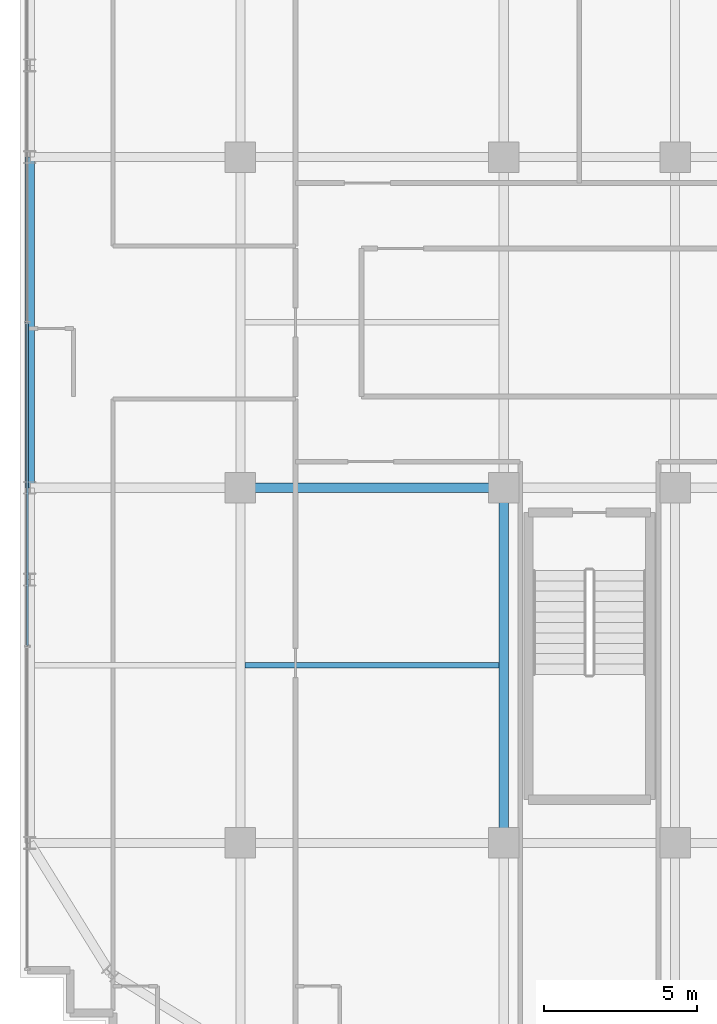
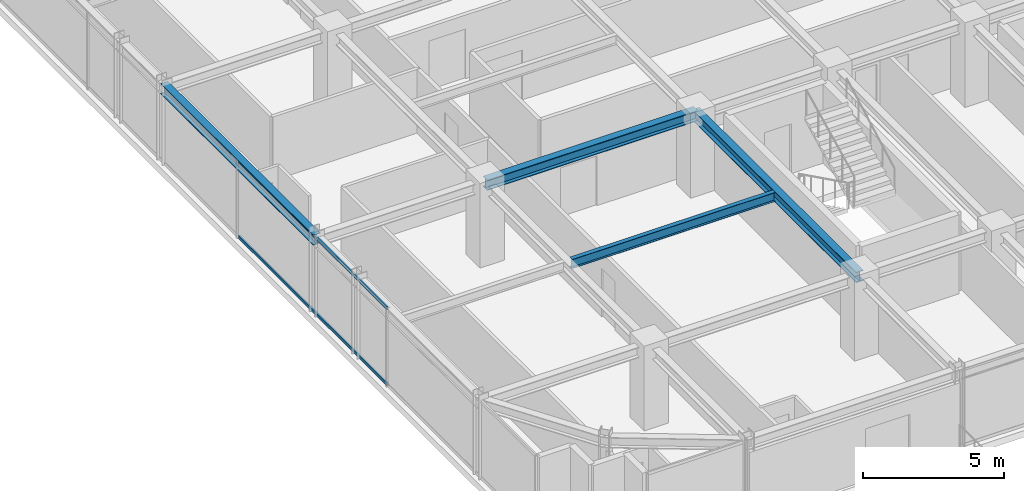
# One storey, part 9 of 34: 4 beams, 2 members, 1 element without a shape of its own.
"""IFC4 building model written with IfcOpenShell, lengths in metres."""

from ifc_helpers import new_model, si_unit, direction, frame, origin, origin_2d, place, context, subcontext, project, spatial, hollow_rectangle, i_section, extrude, source, transform, mapped, material, material_profile, profile_set, type_object, element, aggregate, save


model = new_model("IFC4")

# Units and contexts
model_context = context("Model", 3, precision=1e-05, world=origin(), true_north=direction((0.0, 1.0)))
body_context = subcontext(model_context, "Body", "Model", "MODEL_VIEW")
ifc_project = project(units=[si_unit("LENGTHUNIT", "METRE"), si_unit("AREAUNIT", "SQUARE_METRE"), si_unit("VOLUMEUNIT", "CUBIC_METRE"), si_unit("PLANEANGLEUNIT", "RADIAN"), si_unit("MASSUNIT", "GRAM", prefix="KILO")], contexts=[model_context])

# Site, building, storey
site_placement = place(None, origin())
site = spatial("IfcSite", under=ifc_project, at=site_placement, CompositionType="ELEMENT")
building_placement = place(site_placement, origin())
building = spatial("IfcBuilding", under=site, at=building_placement, Name="Nahalor Promenade Grand Hotel", CompositionType="ELEMENT")
storey_placement = place(building_placement, frame((0.0, 0.0, 238.199951171875)))
storey = spatial("IfcBuildingStorey", under=building, at=storey_placement, Name="L61", CompositionType="ELEMENT", Elevation=238.199951171875)

# Beams
ifc_material_1 = material(Name="Steel S355JR", Category="steel")
ifc_material_profile_1 = material_profile(ifc_material_1, i_section(OverallWidth=0.3, OverallDepth=0.45, WebThickness=0.014, FlangeThickness=0.026, at=origin_2d()), Name="HEB 450")
ifc_profile_set_1 = profile_set([ifc_material_profile_1], Name="Steel S355JR")
beam_type_1 = type_object("IfcBeamType", Name="Beam-Spandrel-HEB450", PredefinedType="SPANDREL", material=ifc_profile_set_1)
shared_shape_1 = source(origin(), body_context, "Body", "SweptSolid", [
    extrude(i_section(OverallWidth=0.3, OverallDepth=0.45, WebThickness=0.014, FlangeThickness=0.026, at=origin_2d()), origin(), (0.0, 0.0, 1.0), 10.7998046875),
])
beam_1_placement = place(storey_placement, frame((-23.8798828125, -5.39990234375, 3.18505859375), z_axis=(0.0, 1.0, 0.0), x_axis=(-1.0, 0.0, 0.0)))
element("IfcBeam", 1, at=beam_1_placement, inside=storey, type_object=beam_type_1, Name="BM-L61-SP-W-2", PredefinedType="SPANDREL", context=body_context, shape_type="MappedRepresentation", body=[
    mapped(shared_shape_1, transform((0.0, 0.0, 0.0), scale=1.0)),
])
ifc_material_profile_2 = material_profile(ifc_material_1, i_section(OverallWidth=0.3, OverallDepth=0.45, WebThickness=0.014, FlangeThickness=0.026, at=origin_2d()), Name="HEB 450")
ifc_profile_set_2 = profile_set([ifc_material_profile_2], Name="Steel S355JR")
beam_type_2 = type_object("IfcBeamType", Name="Beam-Girder-HEB450", PredefinedType="BEAM", material=ifc_profile_set_2)
shared_shape_2 = source(origin(), body_context, "Body", "SweptSolid", [
    extrude(i_section(OverallWidth=0.3, OverallDepth=0.45, WebThickness=0.014, FlangeThickness=0.026, at=origin_2d()), origin(), (0.0, 0.0, 1.0), 8.60009765625),
])
beam_2_placement = place(storey_placement, frame((-17.0, -5.39990234375, 3.18505859375), z_axis=(1.0, 0.0, 0.0), x_axis=(0.0, 1.0, 0.0)))
element("IfcBeam", 2, at=beam_2_placement, inside=storey, type_object=beam_type_2, Name="BM-L61-GX-1-1", PredefinedType="BEAM", context=body_context, shape_type="MappedRepresentation", body=[
    mapped(shared_shape_2, transform((0.0, 0.0, 0.0), scale=1.0)),
])
shared_shape_3 = source(origin(), body_context, "Body", "SweptSolid", [
    extrude(i_section(OverallWidth=0.3, OverallDepth=0.45, WebThickness=0.014, FlangeThickness=0.026, at=origin_2d()), origin(), (0.0, 0.0, 1.0), 11.60009765625),
])
beam_3_placement = place(storey_placement, frame((-8.39990234375, -17.0, 3.18505859375), z_axis=(0.0, 1.0, 0.0), x_axis=(-1.0, 0.0, 0.0)))
element("IfcBeam", 3, at=beam_3_placement, inside=storey, type_object=beam_type_2, Name="BM-L61-GY-1-1", PredefinedType="BEAM", context=body_context, shape_type="MappedRepresentation", body=[
    mapped(shared_shape_3, transform((0.0, 0.0, 0.0), scale=1.0)),
])
ifc_material_profile_3 = material_profile(ifc_material_1, i_section(OverallWidth=0.18, OverallDepth=0.4, WebThickness=0.0086, FlangeThickness=0.0135, at=origin_2d()), Name="IPE 400")
ifc_profile_set_3 = profile_set([ifc_material_profile_3], Name="Steel S355JR")
beam_type_3 = type_object("IfcBeamType", Name="Beam-Joist-IPE400", PredefinedType="JOIST", material=ifc_profile_set_3)
shared_shape_4 = source(origin(), body_context, "Body", "SweptSolid", [
    extrude(i_section(OverallWidth=0.18, OverallDepth=0.4, WebThickness=0.0086, FlangeThickness=0.0135, at=origin_2d()), origin(), (0.0, 0.0, 1.0), 8.300048828125),
])
beam_4_placement = place(storey_placement, frame((-16.85009765625, -11.199951171875, 3.2099609375), z_axis=(1.0, 0.0, 0.0), x_axis=(0.0, 1.0, 0.0)))
element("IfcBeam", 4, at=beam_4_placement, inside=storey, type_object=beam_type_3, Name="BM-L61-JSW-0-1", PredefinedType="JOIST", context=body_context, shape_type="MappedRepresentation", body=[
    mapped(shared_shape_4, transform((0.0, 0.0, 0.0), scale=1.0)),
])

# Curtain wall, members
ifc_material_2 = material(Name="Anodised Bronze Aluminium EN AW-6063 T6", Category="aluminium")
curtain_wall_type = type_object("IfcCurtainWallType", Name="CW2 Typical Hotel Flush Bronze Unitised Curtain Wall", PredefinedType="USERDEFINED", material=ifc_material_2)
curtain_wall_placement = place(storey_placement, origin())
curtain_wall = element("IfcCurtainWall", 5, at=curtain_wall_placement, inside=storey, type_object=curtain_wall_type, Name="L61 Curtain Wall CW-L61-W-1", ObjectType="UNITISED_CURTAIN_WALL", PredefinedType="USERDEFINED")
ifc_material_profile_4 = material_profile(ifc_material_2, hollow_rectangle(XDim=0.065, YDim=0.13, WallThickness=0.004, at=origin_2d()), Name="CWT 65x130x4")
ifc_profile_set_4 = profile_set([ifc_material_profile_4], Name="Anodised Bronze Aluminium EN AW-6063 T6")
member_type = type_object("IfcMemberType", Name="CWT2 Typical Bronze Transom 65x130", PredefinedType="USERDEFINED", material=ifc_profile_set_4)
shared_shape_5 = source(origin(), body_context, "Body", "SweptSolid", [
    extrude(hollow_rectangle(XDim=0.065, YDim=0.13, WallThickness=0.004, at=origin_2d()), origin(), (0.0, 0.0, 1.0), 10.51513671875),
])
member_1_placement = place(storey_placement, frame((-23.9599609375, -10.547607421875, 0.06494140625), z_axis=(0.0, 1.0, 0.0), x_axis=(-1.0, 0.0, 0.0)))
member_1 = element("IfcMember", 6, at=member_1_placement, type_object=member_type, Name="CW-L61-W-1 Transom 1-0", ObjectType="TRANSOM", PredefinedType="USERDEFINED", context=body_context, shape_type="MappedRepresentation", body=[
    mapped(shared_shape_5, transform((0.0, 0.0, 0.0), scale=1.0)),
])
member_2_placement = place(storey_placement, frame((-23.9599609375, -10.547607421875, 3.344970703125), z_axis=(0.0, 1.0, 0.0), x_axis=(-1.0, 0.0, 0.0)))
member_2 = element("IfcMember", 7, at=member_2_placement, type_object=member_type, Name="CW-L61-W-1 Transom 1-1", ObjectType="TRANSOM", PredefinedType="USERDEFINED", context=body_context, shape_type="MappedRepresentation", body=[
    mapped(shared_shape_5, transform((0.0, 0.0, 0.0), scale=1.0)),
])
aggregate(curtain_wall, [member_1, member_2])

save(model, "model.ifc")
